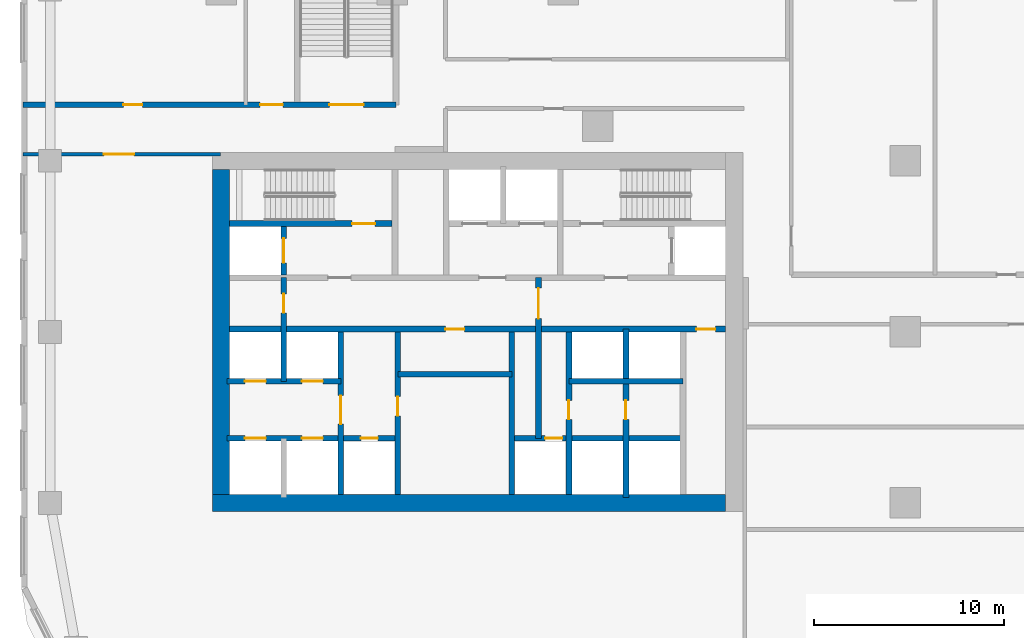
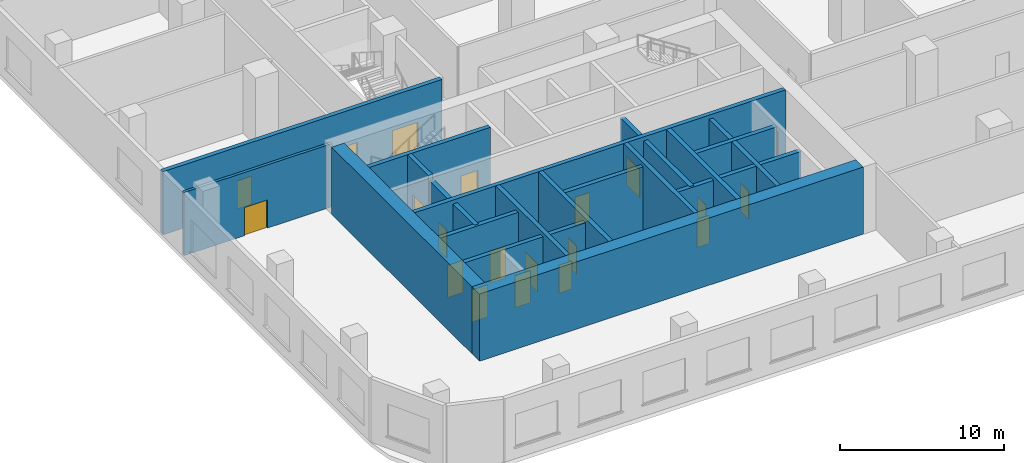
# One storey, part 6 of 35: 20 doors, 19 walls, 20 openings.
"""IFC4 building model written with IfcOpenShell, lengths in metres."""

from ifc_helpers import new_model, si_unit, direction, frame, frame_2d, origin, place, context, subcontext, project, spatial, rectangle, extrude, material, layer, layer_set, type_object, element, fill, save


model = new_model("IFC4")

# Units and contexts
model_context = context("Model", 3, precision=1e-05, world=origin(), true_north=direction((0.0, 1.0)))
body_context = subcontext(model_context, "Body", "Model", "MODEL_VIEW")
ifc_project = project(units=[si_unit("LENGTHUNIT", "METRE"), si_unit("AREAUNIT", "SQUARE_METRE"), si_unit("VOLUMEUNIT", "CUBIC_METRE"), si_unit("PLANEANGLEUNIT", "RADIAN"), si_unit("MASSUNIT", "GRAM", prefix="KILO")], contexts=[model_context])

# Site, building, storey
site_placement = place(None, origin())
site = spatial("IfcSite", under=ifc_project, at=site_placement, CompositionType="ELEMENT")
building_placement = place(site_placement, origin())
building = spatial("IfcBuilding", under=site, at=building_placement, Name="Ogive Portal Towers", CompositionType="ELEMENT")
storey_placement = place(building_placement, frame((0.0, 0.0, 18.5)))
storey = spatial("IfcBuildingStorey", under=building, at=storey_placement, Name="L03", CompositionType="ELEMENT", Elevation=18.5)

# Wall, opening, door
ifc_material_1 = material(Name="Concrete C60/75", Category="concrete")
ifc_layer_1 = layer(ifc_material_1, 0.300048828125)
ifc_layer_set_1 = layer_set([ifc_layer_1], Name="CORE WALL 300 C60")
wall_type_1 = type_object("IfcWallType", Name="CORE WALL 300 C60", PredefinedType="SHEAR", material=ifc_layer_set_1)
wall_1_placement = place(storey_placement, frame((37.800048828125, 21.949951171875, 0.0), z_axis=(0.0, 0.0, 1.0), x_axis=(0.0, 1.0, 0.0)))
wall_1 = element("IfcWall", 1, at=wall_1_placement, inside=storey, type_object=wall_type_1, Name="Core wall X1 L03", PredefinedType="SHEAR", context=body_context, shape_type="SweptSolid", body=[
    extrude(rectangle(XDim=8.550048828125, YDim=0.300048828125, at=frame_2d((4.27490234375, 0.0))), origin(), (0.0, 0.0, 1.0), 5.0),
])
opening_1_placement = place(wall_1_placement, frame((3.699951171875, 0.0, 0.0)))
opening_1 = element("IfcOpeningElement", 2, at=opening_1_placement, cuts=wall_1, Name="Opening D105-002", PredefinedType="OPENING", context=body_context, shape_type="SweptSolid", body=[
    extrude(rectangle(XDim=1.5, YDim=2.10009765625, at=frame_2d((0.75, 1.050048828125))), frame((0.0, 0.16015625, 0.0), z_axis=(0.0, -1.0, 0.0), x_axis=(1.0, 0.0, 0.0)), (0.0, 0.0, 1.0), 0.320068359375),
])
ifc_material_2 = material(Name="Steel fire door", Category="steel")
door_type_1 = type_object("IfcDoorType", Name="DT-SWING-1500x2100-FD90S", OperationType="SINGLE_SWING_LEFT", PredefinedType="DOOR", material=ifc_material_2)
door_1_placement = place(opening_1_placement, origin())
door_1 = element("IfcDoor", 3, at=door_1_placement, inside=storey, type_object=door_type_1, Name="Door D105-002", OperationType="SINGLE_SWING_LEFT", OverallHeight=2.10009765625, OverallWidth=1.5, PredefinedType="DOOR", context=body_context, shape_type="SweptSolid", body=[
    extrude(rectangle(XDim=1.5, YDim=2.10009765625, at=frame_2d((0.75, 1.050048828125))), frame((0.0, 0.02490234375, 0.0), z_axis=(0.0, -1.0, 0.0), x_axis=(1.0, 0.0, 0.0)), (0.0, 0.0, 1.0), 0.050048828125),
])
fill(opening_1, door_1)

wall_2_placement = place(storey_placement, frame((40.800048828125, 21.949951171875, 0.0), z_axis=(0.0, 0.0, 1.0), x_axis=(0.0, 1.0, 0.0)))
wall_2 = element("IfcWall", 4, at=wall_2_placement, inside=storey, type_object=wall_type_1, Name="Core wall X2 L03", PredefinedType="SHEAR", context=body_context, shape_type="SweptSolid", body=[
    extrude(rectangle(XDim=8.550048828125, YDim=0.300048828125, at=frame_2d((4.27490234375, 0.0))), origin(), (0.0, 0.0, 1.0), 5.0),
])
opening_2_placement = place(wall_2_placement, frame((4.137939453125, 0.0, 0.0)))
opening_2 = element("IfcOpeningElement", 5, at=opening_2_placement, cuts=wall_2, Name="Opening D105-020", PredefinedType="OPENING", context=body_context, shape_type="SweptSolid", body=[
    extrude(rectangle(XDim=1.0, YDim=2.10009765625, at=frame_2d((0.5, 1.050048828125))), frame((0.0, 0.16015625, 0.0), z_axis=(0.0, -1.0, 0.0), x_axis=(1.0, 0.0, 0.0)), (0.0, 0.0, 1.0), 0.320068359375),
])
door_type_2 = type_object("IfcDoorType", Name="DT-SWING-1000x2100-FD90S", OperationType="SINGLE_SWING_LEFT", PredefinedType="DOOR", material=ifc_material_2)
door_2_placement = place(opening_2_placement, origin())
door_2 = element("IfcDoor", 6, at=door_2_placement, inside=storey, type_object=door_type_2, Name="Door D105-020", OperationType="SINGLE_SWING_RIGHT", OverallHeight=2.10009765625, OverallWidth=1.0, PredefinedType="DOOR", context=body_context, shape_type="SweptSolid", body=[
    extrude(rectangle(XDim=1.0, YDim=2.10009765625, at=frame_2d((0.5, 1.050048828125))), frame((0.0, 0.02490234375, 0.0), z_axis=(0.0, -1.0, 0.0), x_axis=(1.0, 0.0, 0.0)), (0.0, 0.0, 1.0), 0.050048828125),
])
fill(opening_2, door_2)

# Wall
wall_3_placement = place(storey_placement, frame((46.800048828125, 21.949951171875, 0.0), z_axis=(0.0, 0.0, 1.0), x_axis=(0.0, 1.0, 0.0)))
element("IfcWall", 7, at=wall_3_placement, inside=storey, type_object=wall_type_1, Name="Core wall X3 L03", PredefinedType="SHEAR", context=body_context, shape_type="SweptSolid", body=[
    extrude(rectangle(XDim=8.550048828125, YDim=0.300048828125, at=frame_2d((4.27490234375, 0.0))), origin(), (0.0, 0.0, 1.0), 5.0),
])

# Wall, opening, door
wall_4_placement = place(storey_placement, frame((49.800048828125, 21.949951171875, 0.0), z_axis=(0.0, 0.0, 1.0), x_axis=(0.0, 1.0, 0.0)))
wall_4 = element("IfcWall", 8, at=wall_4_placement, inside=storey, type_object=wall_type_1, Name="Core wall X4 L03", PredefinedType="SHEAR", context=body_context, shape_type="SweptSolid", body=[
    extrude(rectangle(XDim=8.550048828125, YDim=0.300048828125, at=frame_2d((4.27490234375, 0.0))), origin(), (0.0, 0.0, 1.0), 5.0),
])
opening_3_placement = place(wall_4_placement, frame((3.949951171875, 0.0, 0.0)))
opening_3 = element("IfcOpeningElement", 9, at=opening_3_placement, cuts=wall_4, Name="Opening D105-021", PredefinedType="OPENING", context=body_context, shape_type="SweptSolid", body=[
    extrude(rectangle(XDim=1.0, YDim=2.10009765625, at=frame_2d((0.5, 1.050048828125))), frame((0.0, 0.16015625, 0.0), z_axis=(0.0, -1.0, 0.0), x_axis=(1.0, 0.0, 0.0)), (0.0, 0.0, 1.0), 0.320068359375),
])
door_3_placement = place(opening_3_placement, origin())
door_3 = element("IfcDoor", 10, at=door_3_placement, inside=storey, type_object=door_type_2, Name="Door D105-021", OperationType="SINGLE_SWING_LEFT", OverallHeight=2.10009765625, OverallWidth=1.0, PredefinedType="DOOR", context=body_context, shape_type="SweptSolid", body=[
    extrude(rectangle(XDim=1.0, YDim=2.10009765625, at=frame_2d((0.5, 1.050048828125))), frame((0.0, 0.02490234375, 0.0), z_axis=(0.0, -1.0, 0.0), x_axis=(1.0, 0.0, 0.0)), (0.0, 0.0, 1.0), 0.050048828125),
])
fill(opening_3, door_3)

# Wall, openings, doors
wall_5_placement = place(storey_placement, frame((31.949951171875, 30.64990234375, 0.0), z_axis=(0.0, 0.0, 1.0), x_axis=(1.0, 0.0, 0.0)))
wall_5 = element("IfcWall", 11, at=wall_5_placement, inside=storey, type_object=wall_type_1, Name="Core wall Y1 L03", PredefinedType="SHEAR", context=body_context, shape_type="SweptSolid", body=[
    extrude(rectangle(XDim=26.10009765625, YDim=0.300048828125, at=frame_2d((13.050048828125, 0.0))), origin(), (0.0, 0.0, 1.0), 5.0),
])
opening_4_placement = place(wall_5_placement, frame((24.550048828125, 0.0, 0.0)))
opening_4 = element("IfcOpeningElement", 12, at=opening_4_placement, cuts=wall_5, Name="Opening D105-010", PredefinedType="OPENING", context=body_context, shape_type="SweptSolid", body=[
    extrude(rectangle(XDim=1.0, YDim=2.10009765625, at=frame_2d((0.5, 1.050048828125))), frame((0.0, 0.16015625, 0.0), z_axis=(0.0, -1.0, 0.0), x_axis=(1.0, 0.0, 0.0)), (0.0, 0.0, 1.0), 0.320068359375),
])
opening_5_placement = place(wall_5_placement, frame((11.35009765625, 0.0, 0.0)))
opening_5 = element("IfcOpeningElement", 13, at=opening_5_placement, cuts=wall_5, Name="Opening D105-019", PredefinedType="OPENING", context=body_context, shape_type="SweptSolid", body=[
    extrude(rectangle(XDim=1.0, YDim=2.10009765625, at=frame_2d((0.5, 1.050048828125))), frame((0.0, 0.16015625, 0.0), z_axis=(0.0, -1.0, 0.0), x_axis=(1.0, 0.0, 0.0)), (0.0, 0.0, 1.0), 0.320068359375),
])
door_4_placement = place(opening_4_placement, origin())
door_4 = element("IfcDoor", 14, at=door_4_placement, inside=storey, type_object=door_type_2, Name="Door D105-010", OperationType="SINGLE_SWING_LEFT", OverallHeight=2.10009765625, OverallWidth=1.0, PredefinedType="DOOR", context=body_context, shape_type="SweptSolid", body=[
    extrude(rectangle(XDim=1.0, YDim=2.10009765625, at=frame_2d((0.5, 1.050048828125))), frame((0.0, 0.02490234375, 0.0), z_axis=(0.0, -1.0, 0.0), x_axis=(1.0, 0.0, 0.0)), (0.0, 0.0, 1.0), 0.050048828125),
])
fill(opening_4, door_4)
door_5_placement = place(opening_5_placement, origin())
door_5 = element("IfcDoor", 15, at=door_5_placement, inside=storey, type_object=door_type_2, Name="Riser access door D105-019", OperationType="SINGLE_SWING_LEFT", OverallHeight=2.10009765625, OverallWidth=1.0, PredefinedType="DOOR", context=body_context, shape_type="SweptSolid", body=[
    extrude(rectangle(XDim=1.0, YDim=2.10009765625, at=frame_2d((0.5, 1.050048828125))), frame((0.0, 0.02490234375, 0.0), z_axis=(0.0, -1.0, 0.0), x_axis=(1.0, 0.0, 0.0)), (0.0, 0.0, 1.0), 0.050048828125),
])
fill(opening_5, door_5)

# Wall, opening, door
wall_6_placement = place(storey_placement, frame((31.949951171875, 36.199951171875, 0.0), z_axis=(0.0, 0.0, 1.0), x_axis=(1.0, 0.0, 0.0)))
wall_6 = element("IfcWall", 16, at=wall_6_placement, inside=storey, type_object=wall_type_1, Name="Core wall Y3a L03", PredefinedType="SHEAR", context=body_context, shape_type="SweptSolid", body=[
    extrude(rectangle(XDim=8.550048828125, YDim=0.300048828125, at=frame_2d((4.27490234375, 0.0))), origin(), (0.0, 0.0, 1.0), 5.0),
])
opening_6_placement = place(wall_6_placement, frame((6.449951171875, 0.0, 0.0)))
opening_6 = element("IfcOpeningElement", 17, at=opening_6_placement, cuts=wall_6, Name="Opening D105-006", PredefinedType="OPENING", context=body_context, shape_type="SweptSolid", body=[
    extrude(rectangle(XDim=1.199951171875, YDim=2.10009765625, at=frame_2d((0.60009765625, 1.050048828125))), frame((0.0, 0.16015625, 0.0), z_axis=(0.0, -1.0, 0.0), x_axis=(1.0, 0.0, 0.0)), (0.0, 0.0, 1.0), 0.320068359375),
])
door_type_3 = type_object("IfcDoorType", Name="DT-SWING-1200x2100-FD90S", OperationType="SINGLE_SWING_LEFT", PredefinedType="DOOR", material=ifc_material_2)
door_6_placement = place(opening_6_placement, origin())
door_6 = element("IfcDoor", 18, at=door_6_placement, inside=storey, type_object=door_type_3, Name="Door D105-006", OperationType="SINGLE_SWING_RIGHT", OverallHeight=2.10009765625, OverallWidth=1.199951171875, PredefinedType="DOOR", context=body_context, shape_type="SweptSolid", body=[
    extrude(rectangle(XDim=1.199951171875, YDim=2.10009765625, at=frame_2d((0.60009765625, 1.050048828125))), frame((0.0, 0.02490234375, 0.0), z_axis=(0.0, -1.0, 0.0), x_axis=(1.0, 0.0, 0.0)), (0.0, 0.0, 1.0), 0.050048828125),
])
fill(opening_6, door_6)

wall_7_placement = place(storey_placement, frame((34.800048828125, 33.5, 0.0), z_axis=(0.0, 0.0, 1.0), x_axis=(0.0, 1.0, 0.0)))
wall_7 = element("IfcWall", 19, at=wall_7_placement, inside=storey, type_object=wall_type_1, Name="Core wall X8 L03", PredefinedType="SHEAR", context=body_context, shape_type="SweptSolid", body=[
    extrude(rectangle(XDim=2.550048828125, YDim=0.300048828125, at=frame_2d((1.27490234375, 0.0))), origin(), (0.0, 0.0, 1.0), 5.0),
])
opening_7_placement = place(wall_7_placement, frame((0.625, 0.0, 0.0)))
opening_7 = element("IfcOpeningElement", 20, at=opening_7_placement, cuts=wall_7, Name="Opening D105-017", PredefinedType="OPENING", context=body_context, shape_type="SweptSolid", body=[
    extrude(rectangle(XDim=1.300048828125, YDim=2.39990234375, at=frame_2d((0.64990234375, 1.199951171875))), frame((0.0, 0.16015625, 0.0), z_axis=(0.0, -1.0, 0.0), x_axis=(1.0, 0.0, 0.0)), (0.0, 0.0, 1.0), 0.320068359375),
])
ifc_material_3 = material(Name="Stainless steel", Category="steel")
door_type_4 = type_object("IfcDoorType", Name="DT-LD-1300x2400", OperationType="SLIDING_TO_LEFT", PredefinedType="DOOR", material=ifc_material_3)
door_7_placement = place(opening_7_placement, origin())
door_7 = element("IfcDoor", 21, at=door_7_placement, inside=storey, type_object=door_type_4, Name="Door D105-017", OperationType="SLIDING_TO_LEFT", OverallHeight=2.39990234375, OverallWidth=1.300048828125, PredefinedType="DOOR", context=body_context, shape_type="SweptSolid", body=[
    extrude(rectangle(XDim=1.300048828125, YDim=2.39990234375, at=frame_2d((0.64990234375, 1.199951171875))), frame((0.0, 0.02490234375, 0.0), z_axis=(0.0, -1.0, 0.0), x_axis=(1.0, 0.0, 0.0)), (0.0, 0.0, 1.0), 0.050048828125),
])
fill(opening_7, door_7)

# Walls
ifc_layer_2 = layer(ifc_material_1, 0.89990234375)
ifc_layer_set_2 = layer_set([ifc_layer_2], Name="CORE WALL 900 C60")
wall_type_2 = type_object("IfcWallType", Name="CORE WALL 900 C60", PredefinedType="SHEAR", material=ifc_layer_set_2)
wall_8_placement = place(storey_placement, frame((31.5, 21.949951171875, 0.0), z_axis=(0.0, 0.0, 1.0), x_axis=(0.0, 1.0, 0.0)))
element("IfcWall", 22, at=wall_8_placement, inside=storey, type_object=wall_type_2, Name="Core wall W L03", PredefinedType="SHEAR", context=body_context, shape_type="SweptSolid", body=[
    extrude(rectangle(XDim=17.10009765625, YDim=0.89990234375, at=frame_2d((8.550048828125, 0.0))), origin(), (0.0, 0.0, 1.0), 5.0),
])
wall_9_placement = place(storey_placement, frame((31.050048828125, 21.5, 0.0), z_axis=(0.0, 0.0, 1.0), x_axis=(1.0, 0.0, 0.0)))
element("IfcWall", 23, at=wall_9_placement, inside=storey, type_object=wall_type_2, Name="Core wall S L03", PredefinedType="SHEAR", context=body_context, shape_type="SweptSolid", body=[
    extrude(rectangle(XDim=27.0, YDim=0.89990234375, at=frame_2d((13.5, 0.0))), origin(), (0.0, 0.0, 1.0), 5.0),
])

# Wall, openings, doors
ifc_material_4 = material(Name="Concrete C50/60", Category="concrete")
ifc_layer_3 = layer(ifc_material_4, 0.300048828125)
ifc_layer_set_3 = layer_set([ifc_layer_3], Name="STAIR WALL 300 C50")
wall_type_3 = type_object("IfcWallType", Name="STAIR WALL 300 C50", PredefinedType="SHEAR", material=ifc_layer_set_3)
wall_10_placement = place(storey_placement, frame((21.070068359375, 42.449951171875, 0.0), z_axis=(0.0, 0.0, 1.0), x_axis=(1.0, 0.0, 0.0)))
wall_10 = element("IfcWall", 24, at=wall_10_placement, inside=storey, type_object=wall_type_3, Name="Stair wall ST-P2 L03", PredefinedType="SHEAR", context=body_context, shape_type="SweptSolid", body=[
    extrude(rectangle(XDim=19.6298828125, YDim=0.300048828125, at=frame_2d((9.81494140625, 0.0))), origin(), (0.0, 0.0, 1.0), 4.699951171875),
])
opening_8_placement = place(wall_10_placement, frame((16.1298828125, 0.0, 0.0)))
opening_8 = element("IfcOpeningElement", 25, at=opening_8_placement, cuts=wall_10, Name="Opening P03-004", PredefinedType="OPENING", context=body_context, shape_type="SweptSolid", body=[
    extrude(rectangle(XDim=1.800048828125, YDim=2.10009765625, at=frame_2d((0.89990234375, 1.050048828125))), frame((0.0, 0.16015625, 0.0), z_axis=(0.0, -1.0, 0.0), x_axis=(1.0, 0.0, 0.0)), (0.0, 0.0, 1.0), 0.320068359375),
])
opening_9_placement = place(wall_10_placement, frame((12.47998046875, 0.0, 0.0)))
opening_9 = element("IfcOpeningElement", 26, at=opening_9_placement, cuts=wall_10, Name="Opening P03-005", PredefinedType="OPENING", context=body_context, shape_type="SweptSolid", body=[
    extrude(rectangle(XDim=1.199951171875, YDim=2.10009765625, at=frame_2d((0.60009765625, 1.050048828125))), frame((0.0, 0.16015625, 0.0), z_axis=(0.0, -1.0, 0.0), x_axis=(1.0, 0.0, 0.0)), (0.0, 0.0, 1.0), 0.320068359375),
])
opening_10_placement = place(wall_10_placement, frame((5.284912109375, 0.0, 0.0)))
opening_10 = element("IfcOpeningElement", 27, at=opening_10_placement, cuts=wall_10, Name="Opening P03-024", PredefinedType="OPENING", context=body_context, shape_type="SweptSolid", body=[
    extrude(rectangle(XDim=1.0, YDim=2.10009765625, at=frame_2d((0.5, 1.050048828125))), frame((0.0, 0.16015625, 0.0), z_axis=(0.0, -1.0, 0.0), x_axis=(1.0, 0.0, 0.0)), (0.0, 0.0, 1.0), 0.320068359375),
])
door_8_placement = place(opening_10_placement, origin())
door_8 = element("IfcDoor", 28, at=door_8_placement, inside=storey, type_object=door_type_2, Name="Door P03-024", OperationType="SINGLE_SWING_RIGHT", OverallHeight=2.10009765625, OverallWidth=1.0, PredefinedType="DOOR", context=body_context, shape_type="SweptSolid", body=[
    extrude(rectangle(XDim=1.0, YDim=2.10009765625, at=frame_2d((0.5, 1.050048828125))), frame((0.0, 0.02490234375, 0.0), z_axis=(0.0, -1.0, 0.0), x_axis=(1.0, 0.0, 0.0)), (0.0, 0.0, 1.0), 0.050048828125),
])
fill(opening_10, door_8)
door_9_placement = place(opening_9_placement, origin())
door_9 = element("IfcDoor", 29, at=door_9_placement, inside=storey, type_object=door_type_3, Name="Door P03-005", OperationType="SINGLE_SWING_LEFT", OverallHeight=2.10009765625, OverallWidth=1.199951171875, PredefinedType="DOOR", context=body_context, shape_type="SweptSolid", body=[
    extrude(rectangle(XDim=1.199951171875, YDim=2.10009765625, at=frame_2d((0.60009765625, 1.050048828125))), frame((0.0, 0.02490234375, 0.0), z_axis=(0.0, -1.0, 0.0), x_axis=(1.0, 0.0, 0.0)), (0.0, 0.0, 1.0), 0.050048828125),
])
fill(opening_9, door_9)
door_type_5 = type_object("IfcDoorType", Name="DT-SWING-1800x2100-FD90S", OperationType="SINGLE_SWING_LEFT", PredefinedType="DOOR", material=ifc_material_2)
door_10_placement = place(opening_8_placement, origin())
door_10 = element("IfcDoor", 30, at=door_10_placement, inside=storey, type_object=door_type_5, Name="Door P03-004", OperationType="SINGLE_SWING_RIGHT", OverallHeight=2.10009765625, OverallWidth=1.800048828125, PredefinedType="DOOR", context=body_context, shape_type="SweptSolid", body=[
    extrude(rectangle(XDim=1.800048828125, YDim=2.10009765625, at=frame_2d((0.89990234375, 1.050048828125))), frame((0.0, 0.02490234375, 0.0), z_axis=(0.0, -1.0, 0.0), x_axis=(1.0, 0.0, 0.0)), (0.0, 0.0, 1.0), 0.050048828125),
])
fill(opening_8, door_10)

# Wall, opening, door
ifc_material_5 = material(Name="Gypsum board partition on steel studs", Category="steel")
ifc_layer_4 = layer(ifc_material_5, 0.199951171875)
ifc_layer_set_4 = layer_set([ifc_layer_4], Name="WT-PART-200-EI 60")
wall_type_4 = type_object("IfcWallType", Name="WT-PART-200-EI 60", PredefinedType="PARTITIONING", material=ifc_layer_set_4)
wall_11_placement = place(storey_placement, frame((21.070068359375, 39.85009765625, 0.0), z_axis=(0.0, 0.0, 1.0), x_axis=(1.0, 0.0, 0.0)))
wall_11 = element("IfcWall", 31, at=wall_11_placement, inside=storey, type_object=wall_type_4, Name="Wall L03:w030", PredefinedType="PARTITIONING", context=body_context, shape_type="SweptSolid", body=[
    extrude(rectangle(XDim=10.409912109375, YDim=0.199951171875, at=frame_2d((5.205078125, 0.0))), origin(), (0.0, 0.0, 1.0), 4.699951171875),
])
opening_11_placement = place(wall_11_placement, frame((4.257080078125, 0.0, 0.0)))
opening_11 = element("IfcOpeningElement", 32, at=opening_11_placement, cuts=wall_11, Name="Opening P03-023", PredefinedType="OPENING", context=body_context, shape_type="SweptSolid", body=[
    extrude(rectangle(XDim=1.60009765625, YDim=2.10009765625, at=frame_2d((0.800048828125, 1.050048828125))), frame((0.0, 0.10986328125, 0.0), z_axis=(0.0, -1.0, 0.0), x_axis=(1.0, 0.0, 0.0)), (0.0, 0.0, 1.0), 0.219970703125),
])
door_type_6 = type_object("IfcDoorType", Name="DT-SWING-1600x2100-FD60S", OperationType="SINGLE_SWING_LEFT", PredefinedType="DOOR", material=ifc_material_2)
door_11_placement = place(opening_11_placement, origin())
door_11 = element("IfcDoor", 33, at=door_11_placement, inside=storey, type_object=door_type_6, Name="Door P03-023", OperationType="SINGLE_SWING_LEFT", OverallHeight=2.10009765625, OverallWidth=1.60009765625, PredefinedType="DOOR", context=body_context, shape_type="SweptSolid", body=[
    extrude(rectangle(XDim=1.60009765625, YDim=2.10009765625, at=frame_2d((0.800048828125, 1.050048828125))), frame((0.0, 0.02490234375, 0.0), z_axis=(0.0, -1.0, 0.0), x_axis=(1.0, 0.0, 0.0)), (0.0, 0.0, 1.0), 0.050048828125),
])
fill(opening_11, door_11)

# Wall
ifc_layer_5 = layer(ifc_material_5, 0.300048828125)
ifc_layer_set_5 = layer_set([ifc_layer_5], Name="WT-PART-300")
wall_type_5 = type_object("IfcWallType", Name="WT-PART-300", PredefinedType="PARTITIONING", material=ifc_layer_set_5)
wall_12_placement = place(storey_placement, frame((40.800048828125, 28.277099609375, 0.0), z_axis=(0.0, 0.0, 1.0), x_axis=(1.0, 0.0, 0.0)))
element("IfcWall", 34, at=wall_12_placement, inside=storey, type_object=wall_type_5, Name="Wall pw:005:L03", PredefinedType="PARTITIONING", context=body_context, shape_type="SweptSolid", body=[
    extrude(rectangle(XDim=6.0, YDim=0.300048828125, at=frame_2d((3.0, 0.0))), origin(), (0.0, 0.0, 1.0), 4.699951171875),
])

# Wall, opening, door
wall_13_placement = place(storey_placement, frame((48.199951171875, 24.89990234375, 0.0), z_axis=(0.0, 0.0, 1.0), x_axis=(0.0, 1.0, 0.0)))
wall_13 = element("IfcWall", 35, at=wall_13_placement, inside=storey, type_object=wall_type_5, Name="Wall pw:015:L03", PredefinedType="PARTITIONING", context=body_context, shape_type="SweptSolid", body=[
    extrude(rectangle(XDim=8.4501953125, YDim=0.300048828125, at=frame_2d((4.22509765625, 0.0))), origin(), (0.0, 0.0, 1.0), 4.699951171875),
])
opening_12_placement = place(wall_13_placement, frame((6.300048828125, 0.0, 0.0)))
opening_12 = element("IfcOpeningElement", 36, at=opening_12_placement, cuts=wall_13, Name="Opening D105-001", PredefinedType="OPENING", context=body_context, shape_type="SweptSolid", body=[
    extrude(rectangle(XDim=1.60009765625, YDim=2.10009765625, at=frame_2d((0.800048828125, 1.050048828125))), frame((0.0, 0.16015625, 0.0), z_axis=(0.0, -1.0, 0.0), x_axis=(1.0, 0.0, 0.0)), (0.0, 0.0, 1.0), 0.320068359375),
])
door_12_placement = place(opening_12_placement, origin())
door_12 = element("IfcDoor", 37, at=door_12_placement, inside=storey, type_object=door_type_6, Name="Door D105-001", OperationType="SINGLE_SWING_LEFT", OverallHeight=2.10009765625, OverallWidth=1.60009765625, PredefinedType="DOOR", context=body_context, shape_type="SweptSolid", body=[
    extrude(rectangle(XDim=1.60009765625, YDim=2.10009765625, at=frame_2d((0.800048828125, 1.050048828125))), frame((0.0, 0.02490234375, 0.0), z_axis=(0.0, -1.0, 0.0), x_axis=(1.0, 0.0, 0.0)), (0.0, 0.0, 1.0), 0.050048828125),
])
fill(opening_12, door_12)

# Wall, openings, doors
ifc_material_6 = material(Name="Concrete C40/50", Category="concrete")
ifc_layer_6 = layer(ifc_material_6, 0.300048828125)
ifc_layer_set_6 = layer_set([ifc_layer_6], Name="WT-SHAFT-300")
wall_type_6 = type_object("IfcWallType", Name="WT-SHAFT-300", PredefinedType="SOLIDWALL", material=ifc_layer_set_6)
wall_14_placement = place(storey_placement, frame((31.800048828125, 24.89990234375, 0.0), z_axis=(0.0, 0.0, 1.0), x_axis=(1.0, 0.0, 0.0)))
wall_14 = element("IfcWall", 38, at=wall_14_placement, inside=storey, type_object=wall_type_6, Name="Wall pw:001:L03", PredefinedType="SOLIDWALL", context=body_context, shape_type="SweptSolid", body=[
    extrude(rectangle(XDim=9.0, YDim=0.300048828125, at=frame_2d((4.5, 0.0))), origin(), (0.0, 0.0, 1.0), 4.699951171875),
])
opening_13_placement = place(wall_14_placement, frame((7.050048828125, 0.0, 0.0)))
opening_13 = element("IfcOpeningElement", 39, at=opening_13_placement, cuts=wall_14, Name="Opening D105-008", PredefinedType="OPENING", context=body_context, shape_type="SweptSolid", body=[
    extrude(rectangle(XDim=0.89990234375, YDim=2.10009765625, at=frame_2d((0.449951171875, 1.050048828125))), frame((0.0, 0.16015625, 0.0), z_axis=(0.0, -1.0, 0.0), x_axis=(1.0, 0.0, 0.0)), (0.0, 0.0, 1.0), 0.320068359375),
])
opening_14_placement = place(wall_14_placement, frame((0.949951171875, 0.0, 0.0)))
opening_14 = element("IfcOpeningElement", 40, at=opening_14_placement, cuts=wall_14, Name="Opening D105-011", PredefinedType="OPENING", context=body_context, shape_type="SweptSolid", body=[
    extrude(rectangle(XDim=1.10009765625, YDim=2.39990234375, at=frame_2d((0.550048828125, 1.199951171875))), frame((0.0, 0.16015625, 0.0), z_axis=(0.0, -1.0, 0.0), x_axis=(1.0, 0.0, 0.0)), (0.0, 0.0, 1.0), 0.320068359375),
])
opening_15_placement = place(wall_14_placement, frame((3.949951171875, 0.0, 0.0)))
opening_15 = element("IfcOpeningElement", 41, at=opening_15_placement, cuts=wall_14, Name="Opening D105-012", PredefinedType="OPENING", context=body_context, shape_type="SweptSolid", body=[
    extrude(rectangle(XDim=1.10009765625, YDim=2.39990234375, at=frame_2d((0.550048828125, 1.199951171875))), frame((0.0, 0.16015625, 0.0), z_axis=(0.0, -1.0, 0.0), x_axis=(1.0, 0.0, 0.0)), (0.0, 0.0, 1.0), 0.320068359375),
])
door_type_7 = type_object("IfcDoorType", Name="DT-LD-1100x2400", OperationType="SLIDING_TO_LEFT", PredefinedType="DOOR", material=ifc_material_3)
door_13_placement = place(opening_14_placement, origin())
door_13 = element("IfcDoor", 42, at=door_13_placement, inside=storey, type_object=door_type_7, Name="Door D105-011", OperationType="SLIDING_TO_LEFT", OverallHeight=2.39990234375, OverallWidth=1.10009765625, PredefinedType="DOOR", context=body_context, shape_type="SweptSolid", body=[
    extrude(rectangle(XDim=1.10009765625, YDim=2.39990234375, at=frame_2d((0.550048828125, 1.199951171875))), frame((0.0, 0.02490234375, 0.0), z_axis=(0.0, -1.0, 0.0), x_axis=(1.0, 0.0, 0.0)), (0.0, 0.0, 1.0), 0.050048828125),
])
fill(opening_14, door_13)
door_14_placement = place(opening_15_placement, origin())
door_14 = element("IfcDoor", 43, at=door_14_placement, inside=storey, type_object=door_type_7, Name="Door D105-012", OperationType="SLIDING_TO_LEFT", OverallHeight=2.39990234375, OverallWidth=1.10009765625, PredefinedType="DOOR", context=body_context, shape_type="SweptSolid", body=[
    extrude(rectangle(XDim=1.10009765625, YDim=2.39990234375, at=frame_2d((0.550048828125, 1.199951171875))), frame((0.0, 0.02490234375, 0.0), z_axis=(0.0, -1.0, 0.0), x_axis=(1.0, 0.0, 0.0)), (0.0, 0.0, 1.0), 0.050048828125),
])
fill(opening_15, door_14)
door_type_8 = type_object("IfcDoorType", Name="DT-SWING-900x2100-FD90S", OperationType="SINGLE_SWING_LEFT", PredefinedType="DOOR", material=ifc_material_2)
door_15_placement = place(opening_13_placement, origin())
door_15 = element("IfcDoor", 44, at=door_15_placement, inside=storey, type_object=door_type_8, Name="Riser access door D105-008", OperationType="SINGLE_SWING_LEFT", OverallHeight=2.10009765625, OverallWidth=0.89990234375, PredefinedType="DOOR", context=body_context, shape_type="SweptSolid", body=[
    extrude(rectangle(XDim=0.89990234375, YDim=2.10009765625, at=frame_2d((0.449951171875, 1.050048828125))), frame((0.0, 0.02490234375, 0.0), z_axis=(0.0, -1.0, 0.0), x_axis=(1.0, 0.0, 0.0)), (0.0, 0.0, 1.0), 0.050048828125),
])
fill(opening_13, door_15)

# Wall, opening, door
wall_15_placement = place(storey_placement, frame((46.800048828125, 24.89990234375, 0.0), z_axis=(0.0, 0.0, 1.0), x_axis=(1.0, 0.0, 0.0)))
wall_15 = element("IfcWall", 45, at=wall_15_placement, inside=storey, type_object=wall_type_6, Name="Wall pw:002:L03", PredefinedType="SOLIDWALL", context=body_context, shape_type="SweptSolid", body=[
    extrude(rectangle(XDim=9.0, YDim=0.300048828125, at=frame_2d((4.5, 0.0))), origin(), (0.0, 0.0, 1.0), 4.699951171875),
])
opening_16_placement = place(wall_15_placement, frame((1.75, 0.0, 0.0)))
opening_16 = element("IfcOpeningElement", 46, at=opening_16_placement, cuts=wall_15, Name="Opening D105-009", PredefinedType="OPENING", context=body_context, shape_type="SweptSolid", body=[
    extrude(rectangle(XDim=0.89990234375, YDim=2.10009765625, at=frame_2d((0.449951171875, 1.050048828125))), frame((0.0, 0.16015625, 0.0), z_axis=(0.0, -1.0, 0.0), x_axis=(1.0, 0.0, 0.0)), (0.0, 0.0, 1.0), 0.320068359375),
])
door_16_placement = place(opening_16_placement, origin())
door_16 = element("IfcDoor", 47, at=door_16_placement, inside=storey, type_object=door_type_8, Name="Riser access door D105-009", OperationType="SINGLE_SWING_RIGHT", OverallHeight=2.10009765625, OverallWidth=0.89990234375, PredefinedType="DOOR", context=body_context, shape_type="SweptSolid", body=[
    extrude(rectangle(XDim=0.89990234375, YDim=2.10009765625, at=frame_2d((0.449951171875, 1.050048828125))), frame((0.0, 0.02490234375, 0.0), z_axis=(0.0, -1.0, 0.0), x_axis=(1.0, 0.0, 0.0)), (0.0, 0.0, 1.0), 0.050048828125),
])
fill(opening_16, door_16)

# Wall, openings, doors
wall_16_placement = place(storey_placement, frame((31.800048828125, 27.89990234375, 0.0), z_axis=(0.0, 0.0, 1.0), x_axis=(1.0, 0.0, 0.0)))
wall_16 = element("IfcWall", 48, at=wall_16_placement, inside=storey, type_object=wall_type_6, Name="Wall pw:003:L03", PredefinedType="SOLIDWALL", context=body_context, shape_type="SweptSolid", body=[
    extrude(rectangle(XDim=6.0, YDim=0.300048828125, at=frame_2d((3.0, 0.0))), origin(), (0.0, 0.0, 1.0), 4.699951171875),
])
opening_17_placement = place(wall_16_placement, frame((0.949951171875, 0.0, 0.0)))
opening_17 = element("IfcOpeningElement", 49, at=opening_17_placement, cuts=wall_16, Name="Opening D105-013", PredefinedType="OPENING", context=body_context, shape_type="SweptSolid", body=[
    extrude(rectangle(XDim=1.10009765625, YDim=2.39990234375, at=frame_2d((0.550048828125, 1.199951171875))), frame((0.0, 0.16015625, 0.0), z_axis=(0.0, -1.0, 0.0), x_axis=(1.0, 0.0, 0.0)), (0.0, 0.0, 1.0), 0.320068359375),
])
opening_18_placement = place(wall_16_placement, frame((3.949951171875, 0.0, 0.0)))
opening_18 = element("IfcOpeningElement", 50, at=opening_18_placement, cuts=wall_16, Name="Opening D105-014", PredefinedType="OPENING", context=body_context, shape_type="SweptSolid", body=[
    extrude(rectangle(XDim=1.10009765625, YDim=2.39990234375, at=frame_2d((0.550048828125, 1.199951171875))), frame((0.0, 0.16015625, 0.0), z_axis=(0.0, -1.0, 0.0), x_axis=(1.0, 0.0, 0.0)), (0.0, 0.0, 1.0), 0.320068359375),
])
door_17_placement = place(opening_17_placement, origin())
door_17 = element("IfcDoor", 51, at=door_17_placement, inside=storey, type_object=door_type_7, Name="Door D105-013", OperationType="SLIDING_TO_LEFT", OverallHeight=2.39990234375, OverallWidth=1.10009765625, PredefinedType="DOOR", context=body_context, shape_type="SweptSolid", body=[
    extrude(rectangle(XDim=1.10009765625, YDim=2.39990234375, at=frame_2d((0.550048828125, 1.199951171875))), frame((0.0, 0.02490234375, 0.0), z_axis=(0.0, -1.0, 0.0), x_axis=(1.0, 0.0, 0.0)), (0.0, 0.0, 1.0), 0.050048828125),
])
fill(opening_17, door_17)
door_18_placement = place(opening_18_placement, origin())
door_18 = element("IfcDoor", 52, at=door_18_placement, inside=storey, type_object=door_type_7, Name="Door D105-014", OperationType="SLIDING_TO_LEFT", OverallHeight=2.39990234375, OverallWidth=1.10009765625, PredefinedType="DOOR", context=body_context, shape_type="SweptSolid", body=[
    extrude(rectangle(XDim=1.10009765625, YDim=2.39990234375, at=frame_2d((0.550048828125, 1.199951171875))), frame((0.0, 0.02490234375, 0.0), z_axis=(0.0, -1.0, 0.0), x_axis=(1.0, 0.0, 0.0)), (0.0, 0.0, 1.0), 0.050048828125),
])
fill(opening_18, door_18)

# Wall
wall_17_placement = place(storey_placement, frame((49.800048828125, 27.89990234375, 0.0), z_axis=(0.0, 0.0, 1.0), x_axis=(1.0, 0.0, 0.0)))
element("IfcWall", 53, at=wall_17_placement, inside=storey, type_object=wall_type_6, Name="Wall pw:004:L03", PredefinedType="SOLIDWALL", context=body_context, shape_type="SweptSolid", body=[
    extrude(rectangle(XDim=6.0, YDim=0.300048828125, at=frame_2d((3.0, 0.0))), origin(), (0.0, 0.0, 1.0), 4.699951171875),
])

# Wall, opening, door
wall_18_placement = place(storey_placement, frame((34.800048828125, 27.89990234375, 0.0), z_axis=(0.0, 0.0, 1.0), x_axis=(0.0, 1.0, 0.0)))
wall_18 = element("IfcWall", 54, at=wall_18_placement, inside=storey, type_object=wall_type_6, Name="Wall pw:011:L03", PredefinedType="SOLIDWALL", context=body_context, shape_type="SweptSolid", body=[
    extrude(rectangle(XDim=5.4501953125, YDim=0.300048828125, at=frame_2d((2.72509765625, 0.0))), origin(), (0.0, 0.0, 1.0), 4.699951171875),
])
opening_19_placement = place(wall_18_placement, frame((3.60009765625, 0.0, 0.0)))
opening_19 = element("IfcOpeningElement", 55, at=opening_19_placement, cuts=wall_18, Name="Opening D105-023", PredefinedType="OPENING", context=body_context, shape_type="SweptSolid", body=[
    extrude(rectangle(XDim=1.0, YDim=2.10009765625, at=frame_2d((0.5, 1.050048828125))), frame((0.0, 0.16015625, 0.0), z_axis=(0.0, -1.0, 0.0), x_axis=(1.0, 0.0, 0.0)), (0.0, 0.0, 1.0), 0.320068359375),
])
door_19_placement = place(opening_19_placement, origin())
door_19 = element("IfcDoor", 56, at=door_19_placement, inside=storey, type_object=door_type_2, Name="Door D105-023", OperationType="SINGLE_SWING_LEFT", OverallHeight=2.10009765625, OverallWidth=1.0, PredefinedType="DOOR", context=body_context, shape_type="SweptSolid", body=[
    extrude(rectangle(XDim=1.0, YDim=2.10009765625, at=frame_2d((0.5, 1.050048828125))), frame((0.0, 0.02490234375, 0.0), z_axis=(0.0, -1.0, 0.0), x_axis=(1.0, 0.0, 0.0)), (0.0, 0.0, 1.0), 0.050048828125),
])
fill(opening_19, door_19)

wall_19_placement = place(storey_placement, frame((52.800048828125, 21.800048828125, 0.0), z_axis=(0.0, 0.0, 1.0), x_axis=(0.0, 1.0, 0.0)))
wall_19 = element("IfcWall", 57, at=wall_19_placement, inside=storey, type_object=wall_type_6, Name="Wall pw:016:L03", PredefinedType="SOLIDWALL", context=body_context, shape_type="SweptSolid", body=[
    extrude(rectangle(XDim=8.849853515625, YDim=0.300048828125, at=frame_2d((4.4248046875, 0.0))), origin(), (0.0, 0.0, 1.0), 4.699951171875),
])
opening_20_placement = place(wall_19_placement, frame((4.10009765625, 0.0, 0.0)))
opening_20 = element("IfcOpeningElement", 58, at=opening_20_placement, cuts=wall_19, Name="Opening D105-022", PredefinedType="OPENING", context=body_context, shape_type="SweptSolid", body=[
    extrude(rectangle(XDim=1.0, YDim=2.10009765625, at=frame_2d((0.5, 1.050048828125))), frame((0.0, 0.16015625, 0.0), z_axis=(0.0, -1.0, 0.0), x_axis=(1.0, 0.0, 0.0)), (0.0, 0.0, 1.0), 0.320068359375),
])
door_20_placement = place(opening_20_placement, origin())
door_20 = element("IfcDoor", 59, at=door_20_placement, inside=storey, type_object=door_type_2, Name="Door D105-022", OperationType="SINGLE_SWING_RIGHT", OverallHeight=2.10009765625, OverallWidth=1.0, PredefinedType="DOOR", context=body_context, shape_type="SweptSolid", body=[
    extrude(rectangle(XDim=1.0, YDim=2.10009765625, at=frame_2d((0.5, 1.050048828125))), frame((0.0, 0.02490234375, 0.0), z_axis=(0.0, -1.0, 0.0), x_axis=(1.0, 0.0, 0.0)), (0.0, 0.0, 1.0), 0.050048828125),
])
fill(opening_20, door_20)

save(model, "model.ifc")
